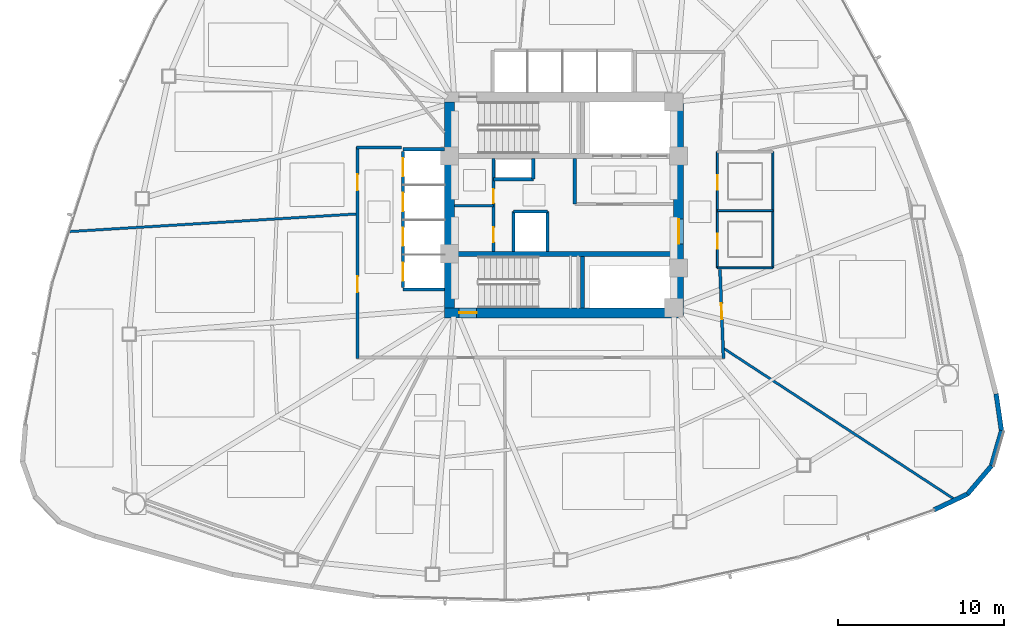
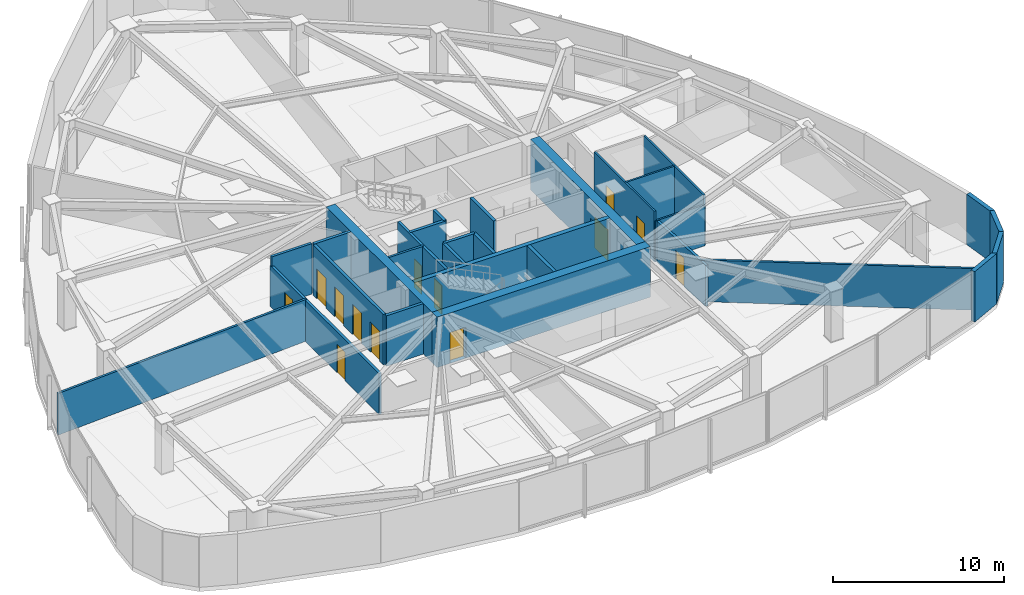
# One storey, part 11 of 16: 29 walls, 13 doors, 13 openings.
"""IFC4 building model written with IfcOpenShell, lengths in metres."""

from ifc_helpers import new_model, si_unit, direction, frame, frame_2d, origin, place, context, subcontext, project, spatial, rectangle, extrude, material, layer, layer_set, type_object, element, fill, save


model = new_model("IFC4")

# Units and contexts
model_context = context("Model", 3, precision=1e-05, world=origin(), true_north=direction((0.0, 1.0)))
body_context = subcontext(model_context, "Body", "Model", "MODEL_VIEW")
ifc_project = project(units=[si_unit("LENGTHUNIT", "METRE"), si_unit("AREAUNIT", "SQUARE_METRE"), si_unit("VOLUMEUNIT", "CUBIC_METRE"), si_unit("PLANEANGLEUNIT", "RADIAN"), si_unit("MASSUNIT", "GRAM", prefix="KILO")], contexts=[model_context])

# Site, building, storey
site_placement = place(None, origin())
site = spatial("IfcSite", under=ifc_project, at=site_placement, CompositionType="ELEMENT")
building_placement = place(site_placement, origin())
building = spatial("IfcBuilding", under=site, at=building_placement, Name="Tavelor Broadcast Tower", CompositionType="ELEMENT")
storey_placement = place(building_placement, frame((0.0, 0.0, 31.5)))
storey = spatial("IfcBuildingStorey", under=building, at=storey_placement, Name="L06", CompositionType="ELEMENT", Elevation=31.5)

# Wall, opening, door
ifc_material_1 = material(Name="Concrete C60/75", Category="concrete")
ifc_layer_1 = layer(ifc_material_1, 0.60009765625)
ifc_layer_set_1 = layer_set([ifc_layer_1], Name="Concrete C60/75")
wall_type_1 = type_object("IfcWallType", Name="Core Shear Wall 600 mm", PredefinedType="SHEAR", material=ifc_layer_set_1)
wall_1_placement = place(storey_placement, frame((42.800048828125, 38.5, 0.0), z_axis=(0.0, 0.0, 1.0), x_axis=(1.0, 0.0, 0.0)))
wall_1 = element("IfcWall", 1, at=wall_1_placement, inside=storey, type_object=wall_type_1, Name="L06 Central Core Shear Wall S", PredefinedType="SHEAR", context=body_context, shape_type="SweptSolid", body=[
    extrude(rectangle(XDim=14.39990234375, YDim=0.60009765625, at=frame_2d((7.199951171875, 0.0))), origin(), (0.0, 0.0, 1.0), 3.60009765625),
])
opening_1_placement = place(wall_1_placement, frame((0.8798828125, 0.0, 0.0)))
opening_1 = element("IfcOpeningElement", 2, at=opening_1_placement, cuts=wall_1, Name="Opening DR11", PredefinedType="OPENING", context=body_context, shape_type="SweptSolid", body=[
    extrude(rectangle(XDim=1.050048828125, YDim=2.199951171875, at=frame_2d((0.52490234375, 1.10009765625))), frame((0.0, 0.31005859375, 0.0), z_axis=(0.0, -1.0, 0.0), x_axis=(1.0, 0.0, 0.0)), (0.0, 0.0, 1.0), 0.6201171875),
])
ifc_material_2 = material(Name="Steel S355", Category="steel")
door_type_1 = type_object("IfcDoorType", Name="Stair Core Fire Escape Door 1050x2200", OperationType="NOTDEFINED", PredefinedType="DOOR", material=ifc_material_2)
door_1_placement = place(opening_1_placement, origin())
door_1 = element("IfcDoor", 3, at=door_1_placement, inside=storey, type_object=door_type_1, Name="L06 Stair ST2 Protected Exit Door", OperationType="SINGLE_SWING_RIGHT", OverallHeight=2.199951171875, OverallWidth=1.050048828125, PredefinedType="DOOR", context=body_context, shape_type="SweptSolid", body=[
    extrude(rectangle(XDim=1.050048828125, YDim=2.199951171875, at=frame_2d((0.52490234375, 1.10009765625))), frame((0.0, 0.02490234375, 0.0), z_axis=(0.0, -1.0, 0.0), x_axis=(1.0, 0.0, 0.0)), (0.0, 0.0, 1.0), 0.050048828125),
])
fill(opening_1, door_1)

# Wall
wall_2_placement = place(storey_placement, frame((43.10009765625, 38.800048828125, 0.0), z_axis=(0.0, 0.0, 1.0), x_axis=(0.0, 1.0, 0.0)))
element("IfcWall", 4, at=wall_2_placement, inside=storey, type_object=wall_type_1, Name="L06 Central Core Shear Wall W", PredefinedType="SHEAR", context=body_context, shape_type="SweptSolid", body=[
    extrude(rectangle(XDim=12.39990234375, YDim=0.60009765625, at=frame_2d((6.199951171875, 0.0))), origin(), (0.0, 0.0, 1.0), 3.60009765625),
])

# Wall, opening, door
wall_3_placement = place(storey_placement, frame((56.89990234375, 38.800048828125, 0.0), z_axis=(0.0, 0.0, 1.0), x_axis=(0.0, 1.0, 0.0)))
wall_3 = element("IfcWall", 5, at=wall_3_placement, inside=storey, type_object=wall_type_1, Name="L06 Central Core Shear Wall E", PredefinedType="SHEAR", context=body_context, shape_type="SweptSolid", body=[
    extrude(rectangle(XDim=12.39990234375, YDim=0.60009765625, at=frame_2d((6.199951171875, 0.0))), origin(), (0.0, 0.0, 1.0), 3.60009765625),
])
opening_2_placement = place(wall_3_placement, frame((3.85009765625, 0.0, 0.0)))
opening_2 = element("IfcOpeningElement", 6, at=opening_2_placement, cuts=wall_3, Name="Opening DR14", PredefinedType="OPENING", context=body_context, shape_type="SweptSolid", body=[
    extrude(rectangle(XDim=1.5, YDim=2.199951171875, at=frame_2d((0.75, 1.10009765625))), frame((0.0, 0.31005859375, 0.0), z_axis=(0.0, -1.0, 0.0), x_axis=(1.0, 0.0, 0.0)), (0.0, 0.0, 1.0), 0.6201171875),
])
door_type_2 = type_object("IfcDoorType", Name="Firefighting Lobby Double Fire Door 1500x2200", OperationType="NOTDEFINED", PredefinedType="DOOR", material=ifc_material_2)
door_2_placement = place(opening_2_placement, origin())
door_2 = element("IfcDoor", 7, at=door_2_placement, inside=storey, type_object=door_type_2, Name="L06 Central Core Lobby Fire Door", OperationType="SINGLE_SWING_LEFT", OverallHeight=2.199951171875, OverallWidth=1.5, PredefinedType="DOOR", context=body_context, shape_type="SweptSolid", body=[
    extrude(rectangle(XDim=1.5, YDim=2.199951171875, at=frame_2d((0.75, 1.10009765625))), frame((0.0, 0.02490234375, 0.0), z_axis=(0.0, -1.0, 0.0), x_axis=(1.0, 0.0, 0.0)), (0.0, 0.0, 1.0), 0.050048828125),
])
fill(opening_2, door_2)

# Wall
ifc_layer_2 = layer(ifc_material_1, 0.300048828125)
ifc_layer_set_2 = layer_set([ifc_layer_2], Name="Concrete C60/75")
wall_type_2 = type_object("IfcWallType", Name="Core Spine Shear Wall 300 mm C60", PredefinedType="SHEAR", material=ifc_layer_set_2)
wall_4_placement = place(storey_placement, frame((43.39990234375, 42.050048828125, 0.0), z_axis=(0.0, 0.0, 1.0), x_axis=(1.0, 0.0, 0.0)))
element("IfcWall", 8, at=wall_4_placement, inside=storey, type_object=wall_type_2, Name="L06 Central Core Shear Wall SP2", PredefinedType="SHEAR", context=body_context, shape_type="SweptSolid", body=[
    extrude(rectangle(XDim=13.2001953125, YDim=0.300048828125, at=frame_2d((6.60009765625, 0.0))), origin(), (0.0, 0.0, 1.0), 3.60009765625),
])

# Wall, openings, doors
ifc_material_3 = material(Name="Calcium Silicate Fire Board 180 mm", Category="gypsum")
ifc_layer_3 = layer(ifc_material_3, 0.179931640625)
ifc_layer_set_3 = layer_set([ifc_layer_3], Name="Calcium Silicate Fire Board 180 mm")
wall_type_3 = type_object("IfcWallType", Name="Fire-Rated Corridor Partition Wall 180 mm", PredefinedType="PARTITIONING", material=ifc_layer_set_3)
wall_5_placement = place(storey_placement, frame((45.75, 42.199951171875, 0.0), z_axis=(0.0, 0.0, 1.0), x_axis=(0.0, 1.0, 0.0)))
wall_5 = element("IfcWall", 9, at=wall_5_placement, inside=storey, type_object=wall_type_3, Name="L06 Core West Service East Wall", PredefinedType="PARTITIONING", context=body_context, shape_type="SweptSolid", body=[
    extrude(rectangle(XDim=5.60009765625, YDim=0.179931640625, at=frame_2d((2.800048828125, 0.0))), origin(), (0.0, 0.0, 1.0), 3.60009765625),
])
opening_3_placement = place(wall_5_placement, frame((0.550048828125, 0.0, 0.0)))
opening_3 = element("IfcOpeningElement", 10, at=opening_3_placement, cuts=wall_5, Name="Opening DR32", PredefinedType="OPENING", context=body_context, shape_type="SweptSolid", body=[
    extrude(rectangle(XDim=0.89990234375, YDim=2.050048828125, at=frame_2d((0.449951171875, 1.02490234375))), frame((0.0, 0.10009765625, 0.0), z_axis=(0.0, -1.0, 0.0), x_axis=(1.0, 0.0, 0.0)), (0.0, 0.0, 1.0), 0.199951171875),
])
opening_4_placement = place(wall_5_placement, frame((2.89990234375, 0.0, 0.0)))
opening_4 = element("IfcOpeningElement", 11, at=opening_4_placement, cuts=wall_5, Name="Opening DR36", PredefinedType="OPENING", context=body_context, shape_type="SweptSolid", body=[
    extrude(rectangle(XDim=0.85009765625, YDim=2.050048828125, at=frame_2d((0.425048828125, 1.02490234375))), frame((0.0, 0.10009765625, 0.0), z_axis=(0.0, -1.0, 0.0), x_axis=(1.0, 0.0, 0.0)), (0.0, 0.0, 1.0), 0.199951171875),
])
ifc_material_4 = material(Name="Timber Solid Core Hardwood", Category="wood")
door_type_3 = type_object("IfcDoorType", Name="Accessible Washroom Door 900x2050", OperationType="NOTDEFINED", PredefinedType="DOOR", material=ifc_material_4)
door_3_placement = place(opening_3_placement, origin())
door_3 = element("IfcDoor", 12, at=door_3_placement, inside=storey, type_object=door_type_3, Name="L06 Core Accessible WC Door", OperationType="SINGLE_SWING_LEFT", OverallHeight=2.050048828125, OverallWidth=0.89990234375, PredefinedType="DOOR", context=body_context, shape_type="SweptSolid", body=[
    extrude(rectangle(XDim=0.89990234375, YDim=2.050048828125, at=frame_2d((0.449951171875, 1.02490234375))), frame((0.0, 0.02490234375, 0.0), z_axis=(0.0, -1.0, 0.0), x_axis=(1.0, 0.0, 0.0)), (0.0, 0.0, 1.0), 0.050048828125),
])
fill(opening_3, door_3)
door_type_4 = type_object("IfcDoorType", Name="Service Room Fire Door 850x2050", OperationType="NOTDEFINED", PredefinedType="DOOR", material=ifc_material_2)
door_4_placement = place(opening_4_placement, origin())
door_4 = element("IfcDoor", 13, at=door_4_placement, inside=storey, type_object=door_type_4, Name="L06 Core Cleaner Store Door", OperationType="SINGLE_SWING_RIGHT", OverallHeight=2.050048828125, OverallWidth=0.85009765625, PredefinedType="DOOR", context=body_context, shape_type="SweptSolid", body=[
    extrude(rectangle(XDim=0.85009765625, YDim=2.050048828125, at=frame_2d((0.425048828125, 1.02490234375))), frame((0.0, 0.02490234375, 0.0), z_axis=(0.0, -1.0, 0.0), x_axis=(1.0, 0.0, 0.0)), (0.0, 0.0, 1.0), 0.050048828125),
])
fill(opening_4, door_4)

# Wall, opening, door
wall_6_placement = place(storey_placement, frame((59.39208984375, 41.10009765625, 0.0), z_axis=(0.0, 0.0, 1.0), x_axis=(0.03921413315, -0.999230830069, 0.0)))
wall_6 = element("IfcWall", 14, at=wall_6_placement, inside=storey, type_object=wall_type_3, Name="L06 Corridor Compartment Wall 03", PredefinedType="PARTITIONING", context=body_context, shape_type="SweptSolid", body=[
    extrude(rectangle(XDim=5.354248046875, YDim=0.179931640625, at=frame_2d((2.67724609375, 0.0))), origin(), (0.0, 0.0, 1.0), 2.925048828125),
])
opening_5_placement = place(wall_6_placement, frame((2.037353515625, 0.0, 0.0)))
opening_5 = element("IfcOpeningElement", 15, at=opening_5_placement, cuts=wall_6, Name="Opening DR18", PredefinedType="OPENING", context=body_context, shape_type="SweptSolid", body=[
    extrude(rectangle(XDim=0.949951171875, YDim=2.050048828125, at=frame_2d((0.47509765625, 1.02490234375))), frame((0.0, 0.10009765625, 0.0), z_axis=(0.0, -1.0, 0.0), x_axis=(1.0, 0.0, 0.0)), (0.0, 0.0, 1.0), 0.199951171875),
])
door_type_5 = type_object("IfcDoorType", Name="Corridor Rated Compartment Door 950x2050", OperationType="NOTDEFINED", PredefinedType="DOOR", material=ifc_material_4)
door_5_placement = place(opening_5_placement, origin())
door_5 = element("IfcDoor", 16, at=door_5_placement, inside=storey, type_object=door_type_5, Name="L06 Audio Dubbing Studio Door R6", OperationType="SINGLE_SWING_LEFT", OverallHeight=2.050048828125, OverallWidth=0.949951171875, PredefinedType="DOOR", context=body_context, shape_type="SweptSolid", body=[
    extrude(rectangle(XDim=0.949951171875, YDim=2.050048828125, at=frame_2d((0.47509765625, 1.02490234375))), frame((0.0, 0.02490234375, 0.0), z_axis=(0.0, -1.0, 0.0), x_axis=(1.0, 0.0, 0.0)), (0.0, 0.0, 1.0), 0.050048828125),
])
fill(opening_5, door_5)

# Wall, openings, doors
wall_7_placement = place(storey_placement, frame((37.550048828125, 35.75, 0.0), z_axis=(0.0, 0.0, 1.0), x_axis=(0.0, 1.0, 0.0)))
wall_7 = element("IfcWall", 17, at=wall_7_placement, inside=storey, type_object=wall_type_3, Name="L06 Corridor Compartment Wall 05", PredefinedType="PARTITIONING", context=body_context, shape_type="SweptSolid", body=[
    extrude(rectangle(XDim=12.75, YDim=0.179931640625, at=frame_2d((6.375, 0.0))), origin(), (0.0, 0.0, 1.0), 2.925048828125),
])
opening_6_placement = place(wall_7_placement, frame((3.992919921875, 0.0, 0.0)))
opening_6 = element("IfcOpeningElement", 18, at=opening_6_placement, cuts=wall_7, Name="Opening DR18", PredefinedType="OPENING", context=body_context, shape_type="SweptSolid", body=[
    extrude(rectangle(XDim=0.949951171875, YDim=2.050048828125, at=frame_2d((0.47509765625, 1.02490234375))), frame((0.0, 0.10009765625, 0.0), z_axis=(0.0, -1.0, 0.0), x_axis=(1.0, 0.0, 0.0)), (0.0, 0.0, 1.0), 0.199951171875),
])
opening_7_placement = place(wall_7_placement, frame((10.13232421875, 0.0, 0.0)))
opening_7 = element("IfcOpeningElement", 19, at=opening_7_placement, cuts=wall_7, Name="Opening DR18", PredefinedType="OPENING", context=body_context, shape_type="SweptSolid", body=[
    extrude(rectangle(XDim=0.949951171875, YDim=2.050048828125, at=frame_2d((0.47509765625, 1.02490234375))), frame((0.0, 0.10009765625, 0.0), z_axis=(0.0, -1.0, 0.0), x_axis=(1.0, 0.0, 0.0)), (0.0, 0.0, 1.0), 0.199951171875),
])
door_6_placement = place(opening_6_placement, origin())
door_6 = element("IfcDoor", 20, at=door_6_placement, inside=storey, type_object=door_type_5, Name="L06 International Bureau Office Door R2", OperationType="SINGLE_SWING_RIGHT", OverallHeight=2.050048828125, OverallWidth=0.949951171875, PredefinedType="DOOR", context=body_context, shape_type="SweptSolid", body=[
    extrude(rectangle(XDim=0.949951171875, YDim=2.050048828125, at=frame_2d((0.47509765625, 1.02490234375))), frame((0.0, 0.02490234375, 0.0), z_axis=(0.0, -1.0, 0.0), x_axis=(1.0, 0.0, 0.0)), (0.0, 0.0, 1.0), 0.050048828125),
])
fill(opening_6, door_6)
door_7_placement = place(opening_7_placement, origin())
door_7 = element("IfcDoor", 21, at=door_7_placement, inside=storey, type_object=door_type_5, Name="L06 Documentary Planning Office Door R3", OperationType="SINGLE_SWING_LEFT", OverallHeight=2.050048828125, OverallWidth=0.949951171875, PredefinedType="DOOR", context=body_context, shape_type="SweptSolid", body=[
    extrude(rectangle(XDim=0.949951171875, YDim=2.050048828125, at=frame_2d((0.47509765625, 1.02490234375))), frame((0.0, 0.02490234375, 0.0), z_axis=(0.0, -1.0, 0.0), x_axis=(1.0, 0.0, 0.0)), (0.0, 0.0, 1.0), 0.050048828125),
])
fill(opening_7, door_7)

# Walls
wall_8_placement = place(storey_placement, frame((37.5, 48.449951171875, 0.0), z_axis=(0.0, 0.0, 1.0), x_axis=(1.0, 0.0, 0.0)))
element("IfcWall", 22, at=wall_8_placement, inside=storey, type_object=wall_type_3, Name="L06 Corridor Compartment Wall 06", PredefinedType="PARTITIONING", context=body_context, shape_type="SweptSolid", body=[
    extrude(rectangle(XDim=2.699951171875, YDim=0.179931640625, at=frame_2d((1.35009765625, 0.0))), origin(), (0.0, 0.0, 1.0), 3.60009765625),
])
ifc_material_5 = material(Name="Precast Concrete C40/50", Category="concrete")
ifc_layer_4 = layer(ifc_material_5, 0.280029296875)
ifc_layer_set_4 = layer_set([ifc_layer_4], Name="Precast Concrete C40/50")
wall_type_4 = type_object("IfcWallType", Name="Insulated Precast Terracotta Facade Wall 280 mm", PredefinedType="STANDARD", material=ifc_layer_set_4)
wall_9_placement = place(storey_placement, frame((72.2900390625, 26.62841796875, 0.0), z_axis=(0.0, 0.0, 1.0), x_axis=(0.903751094917, 0.42805835868, 0.0)))
element("IfcWall", 23, at=wall_9_placement, inside=storey, type_object=wall_type_4, Name="L06 Rounded Corner Structural Cladding Pier 21", PredefinedType="STANDARD", context=body_context, shape_type="SweptSolid", body=[
    extrude(rectangle(XDim=2.25, YDim=0.280029296875, at=frame_2d((1.125, 0.0))), origin(), (0.0, 0.0, 1.0), 3.60009765625),
])
wall_10_placement = place(storey_placement, frame((74.300048828125, 27.57373046875, 0.0), z_axis=(0.0, 0.0, 1.0), x_axis=(0.64752494063, 0.762044258073, 0.0)))
element("IfcWall", 24, at=wall_10_placement, inside=storey, type_object=wall_type_4, Name="L06 Rounded Corner Structural Cladding Pier 22", PredefinedType="STANDARD", context=body_context, shape_type="SweptSolid", body=[
    extrude(rectangle(XDim=2.238525390625, YDim=0.280029296875, at=frame_2d((1.119140625, 0.0))), origin(), (0.0, 0.0, 1.0), 3.60009765625),
])
wall_11_placement = place(storey_placement, frame((75.735595703125, 29.25390625, 0.0), z_axis=(0.0, 0.0, 1.0), x_axis=(0.276492535008, 0.961016065467, 0.0)))
element("IfcWall", 25, at=wall_11_placement, inside=storey, type_object=wall_type_4, Name="L06 Rounded Corner Structural Cladding Pier 23", PredefinedType="STANDARD", context=body_context, shape_type="SweptSolid", body=[
    extrude(rectangle(XDim=2.23828125, YDim=0.280029296875, at=frame_2d((1.119140625, 0.0))), origin(), (0.0, 0.0, 1.0), 3.60009765625),
])
wall_12_placement = place(storey_placement, frame((76.352294921875, 31.375732421875, 0.0), z_axis=(0.0, 0.0, 1.0), x_axis=(-0.143507242298, 0.989649266866, 0.0)))
element("IfcWall", 26, at=wall_12_placement, inside=storey, type_object=wall_type_4, Name="L06 Rounded Corner Structural Cladding Pier 24", PredefinedType="STANDARD", context=body_context, shape_type="SweptSolid", body=[
    extrude(rectangle(XDim=2.260986328125, YDim=0.280029296875, at=frame_2d((1.13037109375, 0.0))), origin(), (0.0, 0.0, 1.0), 3.60009765625),
])
ifc_material_6 = material(Name="Gypsum Acoustic Plasterboard 150 mm", Category="gypsum")
ifc_layer_5 = layer(ifc_material_6, 0.14990234375)
ifc_layer_set_5 = layer_set([ifc_layer_5], Name="Gypsum Acoustic Plasterboard 150 mm")
wall_type_5 = type_object("IfcWallType", Name="Interior Acoustic Partition Wall 150 mm", PredefinedType="PARTITIONING", material=ifc_layer_set_5)
wall_13_placement = place(storey_placement, frame((43.39990234375, 44.949951171875, 0.0), z_axis=(0.0, 0.0, 1.0), x_axis=(1.0, 0.0, 0.0)))
element("IfcWall", 27, at=wall_13_placement, inside=storey, type_object=wall_type_5, Name="L06 Core Split Wall A", PredefinedType="PARTITIONING", context=body_context, shape_type="SweptSolid", body=[
    extrude(rectangle(XDim=2.35009765625, YDim=0.14990234375, at=frame_2d((1.175048828125, 0.0))), origin(), (0.0, 0.0, 1.0), 3.60009765625),
])
wall_14_placement = place(storey_placement, frame((37.550048828125, 44.456787109375, 0.0), z_axis=(0.0, 0.0, 1.0), x_axis=(-0.998122788205, -0.061244588875, 0.0)))
element("IfcWall", 28, at=wall_14_placement, inside=storey, type_object=wall_type_5, Name="L06 Radial Compartment Wall 04", PredefinedType="PARTITIONING", context=body_context, shape_type="SweptSolid", body=[
    extrude(rectangle(XDim=17.416259765625, YDim=0.14990234375, at=frame_2d((8.7080078125, 0.0))), origin(), (0.0, 0.0, 1.0), 2.97509765625),
])
wall_15_placement = place(storey_placement, frame((59.5771484375, 36.380615234375, 0.0), z_axis=(0.0, 0.0, 1.0), x_axis=(0.83686493474, -0.547409427214, 0.0)))
element("IfcWall", 29, at=wall_15_placement, inside=storey, type_object=wall_type_5, Name="L06 Radial Compartment Wall 07", PredefinedType="PARTITIONING", context=body_context, shape_type="SweptSolid", body=[
    extrude(rectangle(XDim=16.724609375, YDim=0.14990234375, at=frame_2d((8.3623046875, 0.0))), origin(), (0.0, 0.0, 1.0), 2.97509765625),
])

# Wall, openings, doors
ifc_material_7 = material(Name="Concrete Blockwork 200 mm", Category="masonry")
ifc_layer_6 = layer(ifc_material_7, 0.199951171875)
ifc_layer_set_6 = layer_set([ifc_layer_6], Name="Concrete Blockwork 200 mm")
wall_type_6 = type_object("IfcWallType", Name="Lift Hoistway Rated Front Wall 200 mm", PredefinedType="PARTITIONING", material=ifc_layer_set_6)
wall_16_placement = place(storey_placement, frame((40.300048828125, 40.02001953125, 0.0), z_axis=(0.0, 0.0, 1.0), x_axis=(0.0, 1.0, 0.0)))
wall_16 = element("IfcWall", 30, at=wall_16_placement, inside=storey, type_object=wall_type_6, Name="L06 Low-Rise Lift Hoistway Front Wall", PredefinedType="PARTITIONING", context=body_context, shape_type="SweptSolid", body=[
    extrude(rectangle(XDim=8.2099609375, YDim=0.199951171875, at=frame_2d((4.10498046875, 0.0))), origin(), (0.0, 0.0, 1.0), 3.60009765625),
])
opening_8_placement = place(wall_16_placement, frame((0.405029296875, 0.0, 0.0)))
opening_8 = element("IfcOpeningElement", 31, at=opening_8_placement, cuts=wall_16, Name="Opening LD01", PredefinedType="OPENING", context=body_context, shape_type="SweptSolid", body=[
    extrude(rectangle(XDim=1.10009765625, YDim=2.14990234375, at=frame_2d((0.550048828125, 1.074951171875))), frame((0.0, 0.10986328125, 0.0), z_axis=(0.0, -1.0, 0.0), x_axis=(1.0, 0.0, 0.0)), (0.0, 0.0, 1.0), 0.219970703125),
])
opening_9_placement = place(wall_16_placement, frame((2.5048828125, 0.0, 0.0)))
opening_9 = element("IfcOpeningElement", 32, at=opening_9_placement, cuts=wall_16, Name="Opening LD01", PredefinedType="OPENING", context=body_context, shape_type="SweptSolid", body=[
    extrude(rectangle(XDim=1.10009765625, YDim=2.14990234375, at=frame_2d((0.550048828125, 1.074951171875))), frame((0.0, 0.10986328125, 0.0), z_axis=(0.0, -1.0, 0.0), x_axis=(1.0, 0.0, 0.0)), (0.0, 0.0, 1.0), 0.219970703125),
])
opening_10_placement = place(wall_16_placement, frame((4.60498046875, 0.0, 0.0)))
opening_10 = element("IfcOpeningElement", 33, at=opening_10_placement, cuts=wall_16, Name="Opening LD01", PredefinedType="OPENING", context=body_context, shape_type="SweptSolid", body=[
    extrude(rectangle(XDim=1.10009765625, YDim=2.14990234375, at=frame_2d((0.550048828125, 1.074951171875))), frame((0.0, 0.10986328125, 0.0), z_axis=(0.0, -1.0, 0.0), x_axis=(1.0, 0.0, 0.0)), (0.0, 0.0, 1.0), 0.219970703125),
])
opening_11_placement = place(wall_16_placement, frame((6.705078125, 0.0, 0.0)))
opening_11 = element("IfcOpeningElement", 34, at=opening_11_placement, cuts=wall_16, Name="Opening LD01", PredefinedType="OPENING", context=body_context, shape_type="SweptSolid", body=[
    extrude(rectangle(XDim=1.10009765625, YDim=2.14990234375, at=frame_2d((0.550048828125, 1.074951171875))), frame((0.0, 0.10986328125, 0.0), z_axis=(0.0, -1.0, 0.0), x_axis=(1.0, 0.0, 0.0)), (0.0, 0.0, 1.0), 0.219970703125),
])
ifc_material_8 = material(Name="Brushed Stainless Steel", Category="steel")
door_type_6 = type_object("IfcDoorType", Name="Passenger Lift Sliding Landing Door 1100x2150", OperationType="NOTDEFINED", PredefinedType="DOOR", material=ifc_material_8)
door_8_placement = place(opening_8_placement, origin())
door_8 = element("IfcDoor", 35, at=door_8_placement, inside=storey, type_object=door_type_6, Name="L06 Lift PLL1 Sliding Landing Door", OperationType="SLIDING_TO_LEFT", OverallHeight=2.14990234375, OverallWidth=1.10009765625, PredefinedType="DOOR", context=body_context, shape_type="SweptSolid", body=[
    extrude(rectangle(XDim=1.10009765625, YDim=2.14990234375, at=frame_2d((0.550048828125, 1.074951171875))), frame((0.0, 0.02490234375, 0.0), z_axis=(0.0, -1.0, 0.0), x_axis=(1.0, 0.0, 0.0)), (0.0, 0.0, 1.0), 0.050048828125),
])
fill(opening_8, door_8)
door_9_placement = place(opening_9_placement, origin())
door_9 = element("IfcDoor", 36, at=door_9_placement, inside=storey, type_object=door_type_6, Name="L06 Lift PLL2 Sliding Landing Door", OperationType="SLIDING_TO_RIGHT", OverallHeight=2.14990234375, OverallWidth=1.10009765625, PredefinedType="DOOR", context=body_context, shape_type="SweptSolid", body=[
    extrude(rectangle(XDim=1.10009765625, YDim=2.14990234375, at=frame_2d((0.550048828125, 1.074951171875))), frame((0.0, 0.02490234375, 0.0), z_axis=(0.0, -1.0, 0.0), x_axis=(1.0, 0.0, 0.0)), (0.0, 0.0, 1.0), 0.050048828125),
])
fill(opening_9, door_9)
door_10_placement = place(opening_10_placement, origin())
door_10 = element("IfcDoor", 37, at=door_10_placement, inside=storey, type_object=door_type_6, Name="L06 Lift PLL3 Sliding Landing Door", OperationType="SLIDING_TO_LEFT", OverallHeight=2.14990234375, OverallWidth=1.10009765625, PredefinedType="DOOR", context=body_context, shape_type="SweptSolid", body=[
    extrude(rectangle(XDim=1.10009765625, YDim=2.14990234375, at=frame_2d((0.550048828125, 1.074951171875))), frame((0.0, 0.02490234375, 0.0), z_axis=(0.0, -1.0, 0.0), x_axis=(1.0, 0.0, 0.0)), (0.0, 0.0, 1.0), 0.050048828125),
])
fill(opening_10, door_10)
door_11_placement = place(opening_11_placement, origin())
door_11 = element("IfcDoor", 38, at=door_11_placement, inside=storey, type_object=door_type_6, Name="L06 Lift PLL4 Sliding Landing Door", OperationType="SLIDING_TO_RIGHT", OverallHeight=2.14990234375, OverallWidth=1.10009765625, PredefinedType="DOOR", context=body_context, shape_type="SweptSolid", body=[
    extrude(rectangle(XDim=1.10009765625, YDim=2.14990234375, at=frame_2d((0.550048828125, 1.074951171875))), frame((0.0, 0.02490234375, 0.0), z_axis=(0.0, -1.0, 0.0), x_axis=(1.0, 0.0, 0.0)), (0.0, 0.0, 1.0), 0.050048828125),
])
fill(opening_11, door_11)

# Walls
wall_17_placement = place(storey_placement, frame((49.0, 42.199951171875, 0.0), z_axis=(0.0, 0.0, 1.0), x_axis=(0.0, 1.0, 0.0)))
element("IfcWall", 39, at=wall_17_placement, inside=storey, type_object=wall_type_6, Name="L06 Mid-Rise Lift PLM4 Hoistway Front Wall", PredefinedType="PARTITIONING", context=body_context, shape_type="SweptSolid", body=[
    extrude(rectangle(XDim=2.400146484375, YDim=0.199951171875, at=frame_2d((1.2001953125, 0.0))), origin(), (0.0, 0.0, 1.0), 3.60009765625),
])
ifc_layer_7 = layer(ifc_material_7, 0.199951171875)
ifc_layer_set_7 = layer_set([ifc_layer_7], Name="Concrete Blockwork 200 mm")
wall_type_7 = type_object("IfcWallType", Name="Lift and Riser Shaft Enclosure Wall 200 mm", PredefinedType="PARTITIONING", material=ifc_layer_set_7)
for number, where, z_axis, x_axis, name in (
    (40, (40.300048828125, 39.89990234375, 0.0), (0.0, 0.0, 1.0), (1.0, 0.0, 0.0), "L06 Low-Rise Lift Shaft South Wall"),
    (41, (40.300048828125, 48.35009765625, 0.0), (0.0, 0.0, 1.0), (1.0, 0.0, 0.0), "L06 Low-Rise Lift Shaft North Wall"),
):
    element("IfcWall", number, at=place(storey_placement, frame(where, z_axis=z_axis, x_axis=x_axis)), inside=storey, type_object=wall_type_7, Name=name, PredefinedType="PARTITIONING", context=body_context, shape_type="SweptSolid", body=[
        extrude(rectangle(XDim=2.5, YDim=0.199951171875, at=frame_2d((1.25, 0.0))), origin(), (0.0, 0.0, 1.0), 3.60009765625),
    ])
wall_18_placement = place(storey_placement, frame((45.75, 46.550048828125, 0.0), z_axis=(0.0, 0.0, 1.0), x_axis=(1.0, 0.0, 0.0)))
element("IfcWall", 42, at=wall_18_placement, inside=storey, type_object=wall_type_7, Name="L06 Riser Shaft South Wall", PredefinedType="PARTITIONING", context=body_context, shape_type="SweptSolid", body=[
    extrude(rectangle(XDim=2.39990234375, YDim=0.199951171875, at=frame_2d((1.199951171875, 0.0))), origin(), (0.0, 0.0, 1.0), 3.60009765625),
])
wall_19_placement = place(storey_placement, frame((48.14990234375, 46.550048828125, 0.0), z_axis=(0.0, 0.0, 1.0), x_axis=(0.0, 1.0, 0.0)))
element("IfcWall", 43, at=wall_19_placement, inside=storey, type_object=wall_type_7, Name="L06 Riser Shaft East Wall", PredefinedType="PARTITIONING", context=body_context, shape_type="SweptSolid", body=[
    extrude(rectangle(XDim=1.25, YDim=0.199951171875, at=frame_2d((0.625, 0.0))), origin(), (0.0, 0.0, 1.0), 3.60009765625),
])
wall_20_placement = place(storey_placement, frame((46.949951171875, 42.199951171875, 0.0), z_axis=(0.0, 0.0, 1.0), x_axis=(0.0, 1.0, 0.0)))
element("IfcWall", 44, at=wall_20_placement, inside=storey, type_object=wall_type_7, Name="L06 Mid-Rise Lift PLM4 West Wall", PredefinedType="PARTITIONING", context=body_context, shape_type="SweptSolid", body=[
    extrude(rectangle(XDim=2.400146484375, YDim=0.199951171875, at=frame_2d((1.2001953125, 0.0))), origin(), (0.0, 0.0, 1.0), 3.60009765625),
])
wall_21_placement = place(storey_placement, frame((46.949951171875, 44.60009765625, 0.0), z_axis=(0.0, 0.0, 1.0), x_axis=(1.0, 0.0, 0.0)))
element("IfcWall", 45, at=wall_21_placement, inside=storey, type_object=wall_type_7, Name="L06 Mid-Rise Lift PLM4 North Wall", PredefinedType="PARTITIONING", context=body_context, shape_type="SweptSolid", body=[
    extrude(rectangle(XDim=2.050048828125, YDim=0.199951171875, at=frame_2d((1.02490234375, 0.0))), origin(), (0.0, 0.0, 1.0), 3.60009765625),
])
wall_22_placement = place(storey_placement, frame((50.64990234375, 45.050048828125, 0.0), z_axis=(0.0, 0.0, 1.0), x_axis=(0.0, 1.0, 0.0)))
element("IfcWall", 46, at=wall_22_placement, inside=storey, type_object=wall_type_7, Name="L06 Firefighting Lobby West Wall", PredefinedType="PARTITIONING", context=body_context, shape_type="SweptSolid", body=[
    extrude(rectangle(XDim=2.75, YDim=0.199951171875, at=frame_2d((1.375, 0.0))), origin(), (0.0, 0.0, 1.0), 3.60009765625),
])

# Wall, openings, doors
ifc_material_9 = material(Name="Moisture-Resistant Plasterboard 120 mm", Category="gypsum")
ifc_layer_8 = layer(ifc_material_9, 0.1201171875)
ifc_layer_set_8 = layer_set([ifc_layer_8], Name="Moisture-Resistant Plasterboard 120 mm")
wall_type_8 = type_object("IfcWallType", Name="Moisture-Resistant Wet-Room Partition 120 mm", PredefinedType="PARTITIONING", material=ifc_layer_set_8)
wall_23_placement = place(storey_placement, frame((59.239990234375, 41.199951171875, 0.0), z_axis=(0.0, 0.0, 1.0), x_axis=(0.0, 1.0, 0.0)))
wall_23 = element("IfcWall", 47, at=wall_23_placement, inside=storey, type_object=wall_type_8, Name="L06 Floor Washrooms West Wall", PredefinedType="PARTITIONING", context=body_context, shape_type="SweptSolid", body=[
    extrude(rectangle(XDim=7.0, YDim=0.1201171875, at=frame_2d((3.5, 0.0))), origin(), (0.0, 0.0, 1.0), 3.60009765625),
])
opening_12_placement = place(wall_23_placement, frame((1.14990234375, 0.0, 0.0)))
opening_12 = element("IfcOpeningElement", 48, at=opening_12_placement, cuts=wall_23, Name="Opening DR32", PredefinedType="OPENING", context=body_context, shape_type="SweptSolid", body=[
    extrude(rectangle(XDim=0.89990234375, YDim=2.050048828125, at=frame_2d((0.449951171875, 1.02490234375))), frame((0.0, 0.070068359375, 0.0), z_axis=(0.0, -1.0, 0.0), x_axis=(1.0, 0.0, 0.0)), (0.0, 0.0, 1.0), 0.14013671875),
])
opening_13_placement = place(wall_23_placement, frame((4.699951171875, 0.0, 0.0)))
opening_13 = element("IfcOpeningElement", 49, at=opening_13_placement, cuts=wall_23, Name="Opening DR32", PredefinedType="OPENING", context=body_context, shape_type="SweptSolid", body=[
    extrude(rectangle(XDim=0.89990234375, YDim=2.050048828125, at=frame_2d((0.449951171875, 1.02490234375))), frame((0.0, 0.070068359375, 0.0), z_axis=(0.0, -1.0, 0.0), x_axis=(1.0, 0.0, 0.0)), (0.0, 0.0, 1.0), 0.14013671875),
])
door_12_placement = place(opening_12_placement, origin())
door_12 = element("IfcDoor", 50, at=door_12_placement, inside=storey, type_object=door_type_3, Name="L06 Accessible WC Door", OperationType="SINGLE_SWING_LEFT", OverallHeight=2.050048828125, OverallWidth=0.89990234375, PredefinedType="DOOR", context=body_context, shape_type="SweptSolid", body=[
    extrude(rectangle(XDim=0.89990234375, YDim=2.050048828125, at=frame_2d((0.449951171875, 1.02490234375))), frame((0.0, 0.02490234375, 0.0), z_axis=(0.0, -1.0, 0.0), x_axis=(1.0, 0.0, 0.0)), (0.0, 0.0, 1.0), 0.050048828125),
])
fill(opening_12, door_12)
door_13_placement = place(opening_13_placement, origin())
door_13 = element("IfcDoor", 51, at=door_13_placement, inside=storey, type_object=door_type_3, Name="L06 Staff Washroom WC Door", OperationType="SINGLE_SWING_RIGHT", OverallHeight=2.050048828125, OverallWidth=0.89990234375, PredefinedType="DOOR", context=body_context, shape_type="SweptSolid", body=[
    extrude(rectangle(XDim=0.89990234375, YDim=2.050048828125, at=frame_2d((0.449951171875, 1.02490234375))), frame((0.0, 0.02490234375, 0.0), z_axis=(0.0, -1.0, 0.0), x_axis=(1.0, 0.0, 0.0)), (0.0, 0.0, 1.0), 0.050048828125),
])
fill(opening_13, door_13)

# Walls
wall_24_placement = place(storey_placement, frame((59.239990234375, 41.199951171875, 0.0), z_axis=(0.0, 0.0, 1.0), x_axis=(1.0, 0.0, 0.0)))
element("IfcWall", 52, at=wall_24_placement, inside=storey, type_object=wall_type_8, Name="L06 Floor Washrooms South Wall", PredefinedType="PARTITIONING", context=body_context, shape_type="SweptSolid", body=[
    extrude(rectangle(XDim=3.340087890625, YDim=0.1201171875, at=frame_2d((1.669921875, 0.0))), origin(), (0.0, 0.0, 1.0), 2.925048828125),
])
wall_25_placement = place(storey_placement, frame((59.239990234375, 44.64990234375, 0.0), z_axis=(0.0, 0.0, 1.0), x_axis=(1.0, 0.0, 0.0)))
element("IfcWall", 53, at=wall_25_placement, inside=storey, type_object=wall_type_8, Name="L06 Floor Washrooms Divider Wall", PredefinedType="PARTITIONING", context=body_context, shape_type="SweptSolid", body=[
    extrude(rectangle(XDim=3.340087890625, YDim=0.1201171875, at=frame_2d((1.669921875, 0.0))), origin(), (0.0, 0.0, 1.0), 3.60009765625),
])
wall_26_placement = place(storey_placement, frame((62.580078125, 41.199951171875, 0.0), z_axis=(0.0, 0.0, 1.0), x_axis=(0.0, 1.0, 0.0)))
element("IfcWall", 54, at=wall_26_placement, inside=storey, type_object=wall_type_8, Name="L06 Floor Washrooms East Wall", PredefinedType="PARTITIONING", context=body_context, shape_type="SweptSolid", body=[
    extrude(rectangle(XDim=7.0, YDim=0.1201171875, at=frame_2d((3.5, 0.0))), origin(), (0.0, 0.0, 1.0), 3.60009765625),
])
ifc_material_10 = material(Name="Concrete C40/50", Category="concrete")
ifc_layer_9 = layer(ifc_material_10, 0.219970703125)
ifc_layer_set_9 = layer_set([ifc_layer_9], Name="Concrete C40/50")
wall_type_9 = type_object("IfcWallType", Name="Structural Stairwell Shear Wall 220 mm", PredefinedType="SHEAR", material=ifc_layer_set_9)
wall_27_placement = place(storey_placement, frame((51.110107421875, 38.800048828125, 0.0), z_axis=(0.0, 0.0, 1.0), x_axis=(0.0, 1.0, 0.0)))
element("IfcWall", 55, at=wall_27_placement, inside=storey, type_object=wall_type_9, Name="L06 Stair ST2 Structural Shaft Wall", PredefinedType="SHEAR", context=body_context, shape_type="SweptSolid", body=[
    extrude(rectangle(XDim=3.099853515625, YDim=0.219970703125, at=frame_2d((1.5498046875, 0.0))), origin(), (0.0, 0.0, 1.0), 3.60009765625),
])

save(model, "model.ifc")
